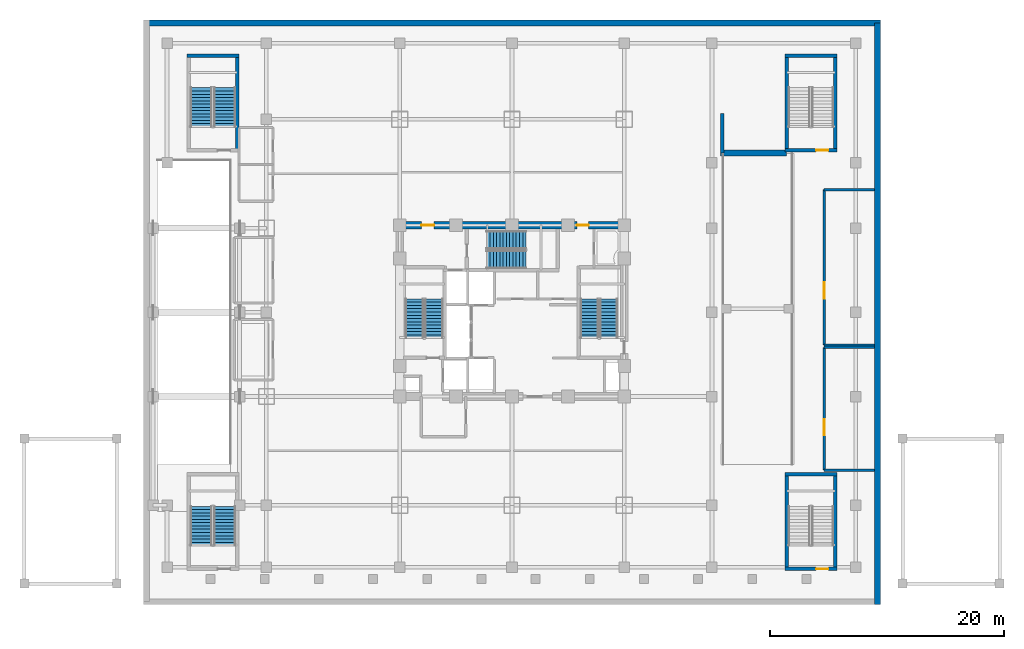
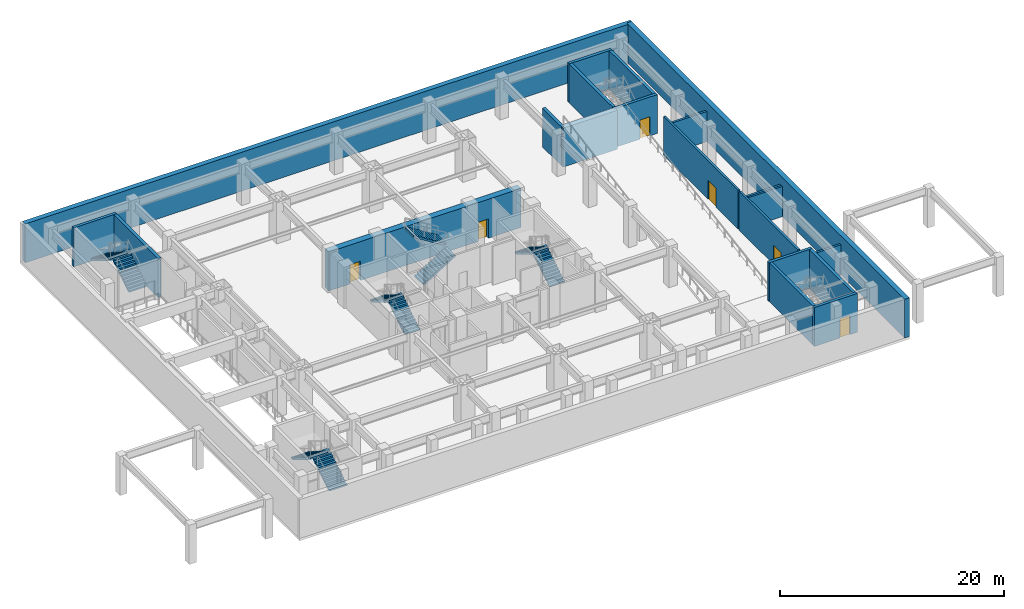
# One storey, part 5 of 12: 21 walls, 10 stair flights, 6 doors, 6 openings, 5 elements without a shape of their own.
"""IFC4 building model written with IfcOpenShell, lengths in metres."""

from ifc_helpers import new_model, si_unit, direction, frame, frame_2d, origin, place, context, subcontext, project, spatial, polyline, rectangle, outline, extrude, material, layer, layer_set, type_object, element, fill, aggregate, save


model = new_model("IFC4")

# Units and contexts
model_context = context("Model", 3, precision=1e-05, world=origin(), true_north=direction((0.0, 1.0)))
body_context = subcontext(model_context, "Body", "Model", "MODEL_VIEW")
ifc_project = project(units=[si_unit("LENGTHUNIT", "METRE"), si_unit("AREAUNIT", "SQUARE_METRE"), si_unit("VOLUMEUNIT", "CUBIC_METRE"), si_unit("PLANEANGLEUNIT", "RADIAN"), si_unit("MASSUNIT", "GRAM", prefix="KILO")], contexts=[model_context])

# Site, building, storey
site_placement = place(None, origin())
site = spatial("IfcSite", under=ifc_project, at=site_placement, CompositionType="ELEMENT")
building_placement = place(site_placement, origin())
building = spatial("IfcBuilding", under=site, at=building_placement, Name="Vantalir Tower", CompositionType="ELEMENT")
storey_placement = place(building_placement, frame((0.0, 0.0, -4.5)))
storey = spatial("IfcBuildingStorey", under=building, at=storey_placement, Name="B01", CompositionType="ELEMENT", Elevation=-4.5)

# Walls
ifc_material_1 = material(Name="Concrete C50/60", Category="concrete")
ifc_layer_1 = layer(ifc_material_1, 0.5)
ifc_layer_set_1 = layer_set([ifc_layer_1], Name="Concrete C50/60")
wall_type_1 = type_object("IfcWallType", Name="WL-BSMT-500", PredefinedType="SOLIDWALL", material=ifc_layer_set_1)
wall_1_placement = place(storey_placement, frame((62.75, 0.0, 0.0), z_axis=(0.0, 0.0, 1.0), x_axis=(0.0, 1.0, 0.0)))
element("IfcWall", 1, at=wall_1_placement, inside=storey, type_object=wall_type_1, Name="B01 Perimeter Retaining Wall E", PredefinedType="SOLIDWALL", context=body_context, shape_type="SweptSolid", body=[
    extrude(rectangle(XDim=49.75, YDim=0.5, at=frame_2d((24.875, 0.0))), origin(), (0.0, 0.0, 1.0), 4.25),
])
wall_2_placement = place(storey_placement, frame((63.0, 49.75, 0.0), z_axis=(0.0, 0.0, 1.0), x_axis=(-1.0, 0.0, 0.0)))
element("IfcWall", 2, at=wall_2_placement, inside=storey, type_object=wall_type_1, Name="B01 Perimeter Retaining Wall N", PredefinedType="SOLIDWALL", context=body_context, shape_type="SweptSolid", body=[
    extrude(rectangle(XDim=62.75, YDim=0.5, at=frame_2d((31.375, 0.0))), origin(), (0.0, 0.0, 1.0), 4.25),
])
wall_3_placement = place(storey_placement, frame((49.35009765625, 38.6201171875, 0.0), z_axis=(0.0, 0.0, 1.0), x_axis=(1.0, 0.0, 0.0)))
element("IfcWall", 3, at=wall_3_placement, inside=storey, type_object=wall_type_1, Name="B01 Car Park Ramp VR1 Head Abutment Wall", PredefinedType="SOLIDWALL", context=body_context, shape_type="SweptSolid", body=[
    extrude(rectangle(XDim=5.6298828125, YDim=0.5, at=frame_2d((2.81494140625, 0.0))), origin(), (0.0, 0.0, 1.0), 4.25),
])

# Wall, openings, doors
ifc_material_2 = material(Name="Concrete C60/75", Category="concrete")
ifc_layer_2 = layer(ifc_material_2, 0.64990234375)
ifc_layer_set_2 = layer_set([ifc_layer_2], Name="Concrete C60/75")
wall_type_2 = type_object("IfcWallType", Name="WL-CORE-650", PredefinedType="SHEAR", material=ifc_layer_set_2)
wall_4_placement = place(storey_placement, frame((21.574951171875, 32.449951171875, 0.0), z_axis=(0.0, 0.0, 1.0), x_axis=(1.0, 0.0, 0.0)))
wall_4 = element("IfcWall", 4, at=wall_4_placement, inside=storey, type_object=wall_type_2, Name="B01 Core Shear Wall North", PredefinedType="SHEAR", context=body_context, shape_type="SweptSolid", body=[
    extrude(rectangle(XDim=19.85009765625, YDim=0.64990234375, at=frame_2d((9.925048828125, 0.0))), origin(), (0.0, 0.0, 1.0), 4.25),
])
opening_1_placement = place(wall_4_placement, frame((2.175048828125, 0.0, 0.0)))
opening_1 = element("IfcOpeningElement", 5, at=opening_1_placement, cuts=wall_4, Name="Opening D-FFL", PredefinedType="OPENING", context=body_context, shape_type="SweptSolid", body=[
    extrude(rectangle(XDim=1.10009765625, YDim=2.10009765625, at=frame_2d((0.550048828125, 1.050048828125))), frame((0.0, 0.3349609375, 0.0), z_axis=(0.0, -1.0, 0.0), x_axis=(1.0, 0.0, 0.0)), (0.0, 0.0, 1.0), 0.669921875),
])
opening_2_placement = place(wall_4_placement, frame((15.47509765625, 0.0, 0.0)))
opening_2 = element("IfcOpeningElement", 6, at=opening_2_placement, cuts=wall_4, Name="Opening D-GUEST", PredefinedType="OPENING", context=body_context, shape_type="SweptSolid", body=[
    extrude(rectangle(XDim=1.0, YDim=2.10009765625, at=frame_2d((0.5, 1.050048828125))), frame((0.0, 0.3349609375, 0.0), z_axis=(0.0, -1.0, 0.0), x_axis=(1.0, 0.0, 0.0)), (0.0, 0.0, 1.0), 0.669921875),
])
ifc_material_3 = material(Name="Fire-rated acoustic steel door", Category="steel")
door_type_1 = type_object("IfcDoorType", Name="DR-FIRE-LOBBY-1100", OperationType="NOTDEFINED", PredefinedType="DOOR", material=ifc_material_3)
door_1_placement = place(opening_1_placement, frame((1.10009765625, 0.0, 0.0), z_axis=(0.0, 0.0, 1.0), x_axis=(-1.0, 0.0, 0.0)))
door_1 = element("IfcDoor", 7, at=door_1_placement, inside=storey, type_object=door_type_1, Name="B01 Firefighting Lobby East Access Door", OperationType="SINGLE_SWING_LEFT", OverallHeight=2.10009765625, OverallWidth=1.10009765625, PredefinedType="DOOR", context=body_context, shape_type="SweptSolid", body=[
    extrude(rectangle(XDim=1.10009765625, YDim=2.10009765625, at=frame_2d((0.550048828125, 1.050048828125))), frame((0.0, 0.02490234375, 0.0), z_axis=(0.0, -1.0, 0.0), x_axis=(1.0, 0.0, 0.0)), (0.0, 0.0, 1.0), 0.050048828125),
])
fill(opening_1, door_1)
ifc_material_4 = material(Name="Solid-core teak veneer acoustic fire door", Category="wood")
door_type_2 = type_object("IfcDoorType", Name="DR-GUEST-ENTRY-1000", OperationType="NOTDEFINED", PredefinedType="DOOR", material=ifc_material_4)
door_2_placement = place(opening_2_placement, frame((1.0, 0.0, 0.0), z_axis=(0.0, 0.0, 1.0), x_axis=(-1.0, 0.0, 0.0)))
door_2 = element("IfcDoor", 8, at=door_2_placement, inside=storey, type_object=door_type_2, Name="B01 North Core Service Lobby Door", OperationType="SINGLE_SWING_LEFT", OverallHeight=2.10009765625, OverallWidth=1.0, PredefinedType="DOOR", context=body_context, shape_type="SweptSolid", body=[
    extrude(rectangle(XDim=1.0, YDim=2.10009765625, at=frame_2d((0.5, 1.050048828125))), frame((0.0, 0.02490234375, 0.0), z_axis=(0.0, -1.0, 0.0), x_axis=(1.0, 0.0, 0.0)), (0.0, 0.0, 1.0), 0.050048828125),
])
fill(opening_2, door_2)

# Wall, opening, door
ifc_material_5 = material(Name="Concrete blockwork with fireboard lining", Category="masonry")
ifc_layer_3 = layer(ifc_material_5, 0.219970703125)
ifc_layer_set_3 = layer_set([ifc_layer_3], Name="Concrete blockwork with fireboard lining")
wall_type_3 = type_object("IfcWallType", Name="WL-FFL-220", PredefinedType="PARTITIONING", material=ifc_layer_set_3)
wall_5_placement = place(storey_placement, frame((58.199951171875, 11.5, 0.0), z_axis=(0.0, 0.0, 1.0), x_axis=(0.0, 1.0, 0.0)))
wall_5 = element("IfcWall", 9, at=wall_5_placement, inside=storey, type_object=wall_type_3, Name="B01 HV Electrical Substation West Wall", PredefinedType="PARTITIONING", context=body_context, shape_type="SweptSolid", body=[
    extrude(rectangle(XDim=10.5, YDim=0.219970703125, at=frame_2d((5.25, 0.0))), origin(), (0.0, 0.0, 1.0), 4.22998046875),
])
opening_3_placement = place(wall_5_placement, frame((2.97509765625, 0.0, 0.0)))
opening_3 = element("IfcOpeningElement", 10, at=opening_3_placement, cuts=wall_5, Name="Opening D-PLANT", PredefinedType="OPENING", context=body_context, shape_type="SweptSolid", body=[
    extrude(rectangle(XDim=1.39990234375, YDim=2.10009765625, at=frame_2d((0.699951171875, 1.050048828125))), frame((0.0, 0.119873046875, 0.0), z_axis=(0.0, -1.0, 0.0), x_axis=(1.0, 0.0, 0.0)), (0.0, 0.0, 1.0), 0.239990234375),
])
ifc_material_6 = material(Name="Louvred fire-rated steel plant double door", Category="steel")
door_type_3 = type_object("IfcDoorType", Name="DR-PLANT-1400", OperationType="DOUBLE_DOOR_SINGLE_SWING", PredefinedType="DOOR", material=ifc_material_6)
door_3_placement = place(opening_3_placement, frame((1.39990234375, 0.0, 0.0), z_axis=(0.0, 0.0, 1.0), x_axis=(-1.0, 0.0, 0.0)))
door_3 = element("IfcDoor", 11, at=door_3_placement, inside=storey, type_object=door_type_3, Name="B01 HV Electrical Substation Plant Door", OperationType="DOUBLE_DOOR_SINGLE_SWING", OverallHeight=2.10009765625, OverallWidth=1.39990234375, PredefinedType="DOOR", context=body_context, shape_type="SweptSolid", body=[
    extrude(rectangle(XDim=1.39990234375, YDim=2.10009765625, at=frame_2d((0.699951171875, 1.050048828125))), frame((0.0, 0.02490234375, 0.0), z_axis=(0.0, -1.0, 0.0), x_axis=(1.0, 0.0, 0.0)), (0.0, 0.0, 1.0), 0.050048828125),
])
fill(opening_3, door_3)

# Walls
for number, where, z_axis, x_axis, name in (
    (12, (58.199951171875, 11.5, 0.0), (0.0, 0.0, 1.0), (1.0, 0.0, 0.0), "B01 HV Electrical Substation South Wall"),
    (13, (58.199951171875, 22.0, 0.0), (0.0, 0.0, 1.0), (1.0, 0.0, 0.0), "B01 HV Electrical Substation North Wall"),
):
    element("IfcWall", number, at=place(storey_placement, frame(where, z_axis=z_axis, x_axis=x_axis)), inside=storey, type_object=wall_type_3, Name=name, PredefinedType="PARTITIONING", context=body_context, shape_type="SweptSolid", body=[
        extrude(rectangle(XDim=4.300048828125, YDim=0.219970703125, at=frame_2d((2.14990234375, 0.0))), origin(), (0.0, 0.0, 1.0), 3.298095703125),
    ])

# Wall, opening, door
wall_6_placement = place(storey_placement, frame((58.199951171875, 22.199951171875, 0.0), z_axis=(0.0, 0.0, 1.0), x_axis=(0.0, 1.0, 0.0)))
wall_6 = element("IfcWall", 14, at=wall_6_placement, inside=storey, type_object=wall_type_3, Name="B01 Standby Generator Room West Wall", PredefinedType="PARTITIONING", context=body_context, shape_type="SweptSolid", body=[
    extrude(rectangle(XDim=13.300048828125, YDim=0.219970703125, at=frame_2d((6.64990234375, 0.0))), origin(), (0.0, 0.0, 1.0), 4.22998046875),
])
opening_4_placement = place(wall_6_placement, frame((3.955078125, 0.0, 0.0)))
opening_4 = element("IfcOpeningElement", 15, at=opening_4_placement, cuts=wall_6, Name="Opening D-PLANT", PredefinedType="OPENING", context=body_context, shape_type="SweptSolid", body=[
    extrude(rectangle(XDim=1.39990234375, YDim=2.10009765625, at=frame_2d((0.699951171875, 1.050048828125))), frame((0.0, 0.119873046875, 0.0), z_axis=(0.0, -1.0, 0.0), x_axis=(1.0, 0.0, 0.0)), (0.0, 0.0, 1.0), 0.239990234375),
])
door_4_placement = place(opening_4_placement, frame((1.39990234375, 0.0, 0.0), z_axis=(0.0, 0.0, 1.0), x_axis=(-1.0, 0.0, 0.0)))
door_4 = element("IfcDoor", 16, at=door_4_placement, inside=storey, type_object=door_type_3, Name="B01 Standby Generator Room Plant Door", OperationType="DOUBLE_DOOR_SINGLE_SWING", OverallHeight=2.10009765625, OverallWidth=1.39990234375, PredefinedType="DOOR", context=body_context, shape_type="SweptSolid", body=[
    extrude(rectangle(XDim=1.39990234375, YDim=2.10009765625, at=frame_2d((0.699951171875, 1.050048828125))), frame((0.0, 0.02490234375, 0.0), z_axis=(0.0, -1.0, 0.0), x_axis=(1.0, 0.0, 0.0)), (0.0, 0.0, 1.0), 0.050048828125),
])
fill(opening_4, door_4)

# Walls
for number, where, z_axis, x_axis, name in (
    (17, (58.199951171875, 22.199951171875, 0.0), (0.0, 0.0, 1.0), (1.0, 0.0, 0.0), "B01 Standby Generator Room South Wall"),
    (18, (58.199951171875, 35.5, 0.0), (0.0, 0.0, 1.0), (1.0, 0.0, 0.0), "B01 Standby Generator Room North Wall"),
):
    element("IfcWall", number, at=place(storey_placement, frame(where, z_axis=z_axis, x_axis=x_axis)), inside=storey, type_object=wall_type_3, Name=name, PredefinedType="PARTITIONING", context=body_context, shape_type="SweptSolid", body=[
        extrude(rectangle(XDim=4.300048828125, YDim=0.219970703125, at=frame_2d((2.14990234375, 0.0))), origin(), (0.0, 0.0, 1.0), 3.298095703125),
    ])
ifc_layer_4 = layer(ifc_material_1, 0.300048828125)
ifc_layer_set_4 = layer_set([ifc_layer_4], Name="Concrete C50/60")
wall_type_4 = type_object("IfcWallType", Name="WL-STAIR-300", PredefinedType="SHEAR", material=ifc_layer_set_4)
wall_7_placement = place(storey_placement, frame((3.699951171875, 46.93994140625, 0.0), z_axis=(0.0, 0.0, 1.0), x_axis=(1.0, 0.0, 0.0)))
element("IfcWall", 19, at=wall_7_placement, inside=storey, type_object=wall_type_4, Name="B01 PST1 North Wall", PredefinedType="SHEAR", context=body_context, shape_type="SweptSolid", body=[
    extrude(rectangle(XDim=4.449951171875, YDim=0.300048828125, at=frame_2d((2.22509765625, 0.0))), origin(), (0.0, 0.0, 1.0), 4.25),
])
wall_8_placement = place(storey_placement, frame((7.989990234375, 38.860107421875, 0.0), z_axis=(0.0, 0.0, 1.0), x_axis=(0.0, 1.0, 0.0)))
element("IfcWall", 20, at=wall_8_placement, inside=storey, type_object=wall_type_4, Name="B01 PST1 East Wall", PredefinedType="SHEAR", context=body_context, shape_type="SweptSolid", body=[
    extrude(rectangle(XDim=8.079833984375, YDim=0.300048828125, at=frame_2d((4.0400390625, 0.0))), origin(), (0.0, 0.0, 1.0), 4.25),
])

# Wall, opening, door
wall_9_placement = place(storey_placement, frame((54.85009765625, 38.860107421875, 0.0), z_axis=(0.0, 0.0, 1.0), x_axis=(1.0, 0.0, 0.0)))
wall_9 = element("IfcWall", 21, at=wall_9_placement, inside=storey, type_object=wall_type_4, Name="B01 PST2 South Wall", PredefinedType="SHEAR", context=body_context, shape_type="SweptSolid", body=[
    extrude(rectangle(XDim=4.449951171875, YDim=0.300048828125, at=frame_2d((2.22509765625, 0.0))), origin(), (0.0, 0.0, 1.0), 4.25),
])
opening_5_placement = place(wall_9_placement, frame((2.64990234375, 0.0, 0.0)))
opening_5 = element("IfcOpeningElement", 22, at=opening_5_placement, cuts=wall_9, Name="Opening D-ST", PredefinedType="OPENING", context=body_context, shape_type="SweptSolid", body=[
    extrude(rectangle(XDim=1.050048828125, YDim=2.10009765625, at=frame_2d((0.52490234375, 1.050048828125))), frame((0.0, 0.159912109375, 0.0), z_axis=(0.0, -1.0, 0.0), x_axis=(1.0, 0.0, 0.0)), (0.0, 0.0, 1.0), 0.320068359375),
])
ifc_material_7 = material(Name="Fire-rated steel door leaf", Category="steel")
door_type_4 = type_object("IfcDoorType", Name="DR-FIRE-STAIR-1050", OperationType="NOTDEFINED", PredefinedType="DOOR", material=ifc_material_7)
door_5_placement = place(opening_5_placement, origin())
door_5 = element("IfcDoor", 23, at=door_5_placement, inside=storey, type_object=door_type_4, Name="B01 Podium Stair PST2 Fire Door", OperationType="SINGLE_SWING_LEFT", OverallHeight=2.10009765625, OverallWidth=1.050048828125, PredefinedType="DOOR", context=body_context, shape_type="SweptSolid", body=[
    extrude(rectangle(XDim=1.050048828125, YDim=2.10009765625, at=frame_2d((0.52490234375, 1.050048828125))), frame((0.0, 0.02490234375, 0.0), z_axis=(0.0, -1.0, 0.0), x_axis=(1.0, 0.0, 0.0)), (0.0, 0.0, 1.0), 0.050048828125),
])
fill(opening_5, door_5)

# Walls
wall_10_placement = place(storey_placement, frame((54.85009765625, 46.93994140625, 0.0), z_axis=(0.0, 0.0, 1.0), x_axis=(1.0, 0.0, 0.0)))
element("IfcWall", 24, at=wall_10_placement, inside=storey, type_object=wall_type_4, Name="B01 PST2 North Wall", PredefinedType="SHEAR", context=body_context, shape_type="SweptSolid", body=[
    extrude(rectangle(XDim=4.449951171875, YDim=0.300048828125, at=frame_2d((2.22509765625, 0.0))), origin(), (0.0, 0.0, 1.0), 4.25),
])
for number, where, z_axis, x_axis, name in (
    (25, (55.010009765625, 38.860107421875, 0.0), (0.0, 0.0, 1.0), (0.0, 1.0, 0.0), "B01 PST2 West Wall"),
    (26, (59.139892578125, 38.860107421875, 0.0), (0.0, 0.0, 1.0), (0.0, 1.0, 0.0), "B01 PST2 East Wall"),
):
    element("IfcWall", number, at=place(storey_placement, frame(where, z_axis=z_axis, x_axis=x_axis)), inside=storey, type_object=wall_type_4, Name=name, PredefinedType="SHEAR", context=body_context, shape_type="SweptSolid", body=[
        extrude(rectangle(XDim=8.079833984375, YDim=0.300048828125, at=frame_2d((4.0400390625, 0.0))), origin(), (0.0, 0.0, 1.0), 4.25),
    ])

# Wall, opening, door
wall_11_placement = place(storey_placement, frame((54.85009765625, 3.06005859375, 0.0), z_axis=(0.0, 0.0, 1.0), x_axis=(1.0, 0.0, 0.0)))
wall_11 = element("IfcWall", 27, at=wall_11_placement, inside=storey, type_object=wall_type_4, Name="B01 PST4 South Wall", PredefinedType="SHEAR", context=body_context, shape_type="SweptSolid", body=[
    extrude(rectangle(XDim=4.449951171875, YDim=0.300048828125, at=frame_2d((2.22509765625, 0.0))), origin(), (0.0, 0.0, 1.0), 4.25),
])
opening_6_placement = place(wall_11_placement, frame((2.64990234375, 0.0, 0.0)))
opening_6 = element("IfcOpeningElement", 28, at=opening_6_placement, cuts=wall_11, Name="Opening D-ST", PredefinedType="OPENING", context=body_context, shape_type="SweptSolid", body=[
    extrude(rectangle(XDim=1.050048828125, YDim=2.10009765625, at=frame_2d((0.52490234375, 1.050048828125))), frame((0.0, 0.159912109375, 0.0), z_axis=(0.0, -1.0, 0.0), x_axis=(1.0, 0.0, 0.0)), (0.0, 0.0, 1.0), 0.320068359375),
])
door_6_placement = place(opening_6_placement, origin())
door_6 = element("IfcDoor", 29, at=door_6_placement, inside=storey, type_object=door_type_4, Name="B01 Podium Stair PST4 Fire Door", OperationType="SINGLE_SWING_LEFT", OverallHeight=2.10009765625, OverallWidth=1.050048828125, PredefinedType="DOOR", context=body_context, shape_type="SweptSolid", body=[
    extrude(rectangle(XDim=1.050048828125, YDim=2.10009765625, at=frame_2d((0.52490234375, 1.050048828125))), frame((0.0, 0.02490234375, 0.0), z_axis=(0.0, -1.0, 0.0), x_axis=(1.0, 0.0, 0.0)), (0.0, 0.0, 1.0), 0.050048828125),
])
fill(opening_6, door_6)

# Walls
wall_12_placement = place(storey_placement, frame((54.85009765625, 11.139892578125, 0.0), z_axis=(0.0, 0.0, 1.0), x_axis=(1.0, 0.0, 0.0)))
element("IfcWall", 30, at=wall_12_placement, inside=storey, type_object=wall_type_4, Name="B01 PST4 North Wall", PredefinedType="SHEAR", context=body_context, shape_type="SweptSolid", body=[
    extrude(rectangle(XDim=4.449951171875, YDim=0.300048828125, at=frame_2d((2.22509765625, 0.0))), origin(), (0.0, 0.0, 1.0), 4.25),
])
for number, where, z_axis, x_axis, name in (
    (31, (55.010009765625, 3.06005859375, 0.0), (0.0, 0.0, 1.0), (0.0, 1.0, 0.0), "B01 PST4 West Wall"),
    (32, (59.139892578125, 3.06005859375, 0.0), (0.0, 0.0, 1.0), (0.0, 1.0, 0.0), "B01 PST4 East Wall"),
):
    element("IfcWall", number, at=place(storey_placement, frame(where, z_axis=z_axis, x_axis=x_axis)), inside=storey, type_object=wall_type_4, Name=name, PredefinedType="SHEAR", context=body_context, shape_type="SweptSolid", body=[
        extrude(rectangle(XDim=8.079833984375, YDim=0.300048828125, at=frame_2d((4.0400390625, 0.0))), origin(), (0.0, 0.0, 1.0), 4.25),
    ])
wall_13_placement = place(storey_placement, frame((49.5, 38.6201171875, 0.0), z_axis=(0.0, 0.0, 1.0), x_axis=(0.0, 1.0, 0.0)))
element("IfcWall", 33, at=wall_13_placement, inside=storey, type_object=wall_type_4, Name="B01 Car Park Ramp VR1 Apron West Support Wall", PredefinedType="SHEAR", context=body_context, shape_type="SweptSolid", body=[
    extrude(rectangle(XDim=3.39990234375, YDim=0.300048828125, at=frame_2d((1.699951171875, 0.0))), origin(), (0.0, 0.0, 1.0), 4.25),
])

# Stair, stair flights
ifc_material_8 = material(Name="Concrete C40/50", Category="concrete")
stair_type_1 = type_object("IfcStairType", Name="STR-CORE-1450", PredefinedType="HALF_TURN_STAIR", material=ifc_material_8)
stair_1_placement = place(storey_placement, origin())
stair_1 = element("IfcStair", 34, at=stair_1_placement, inside=storey, type_object=stair_type_1, Name="B01 Core Exit Stair 1", PredefinedType="HALF_TURN_STAIR")
stair_flight_type_1 = type_object("IfcStairFlightType", Name="FLT-CORE-1450", PredefinedType="STRAIGHT", material=ifc_material_8)
stair_flight_1_placement = place(storey_placement, frame((24.830078125, 22.7900390625, 0.0), z_axis=(0.0, 0.0, 1.0), x_axis=(0.0, 1.0, 0.0)))
stair_flight_1 = element("IfcStairFlight", 35, at=stair_flight_1_placement, type_object=stair_flight_type_1, Name="ST1 flight 1", NumberOfRisers=13, NumberOfTreads=12, PredefinedType="STRAIGHT", RiserHeight=0.173076923, TreadLength=0.28, context=body_context, shape_type="SweptSolid", body=[
    extrude(outline(polyline([(0.0, 0.0), (0.0, 0.173095703125), (0.280029296875, 0.173095703125), (0.280029296875, 0.34619140625), (0.56005859375, 0.34619140625), (0.56005859375, 0.519287109375), (0.840087890625, 0.519287109375), (0.840087890625, 0.6923828125), (1.1201171875, 0.6923828125), (1.1201171875, 0.865478515625), (1.39990234375, 0.865478515625), (1.39990234375, 1.03857421875), (1.679931640625, 1.03857421875), (1.679931640625, 1.21142578125), (1.9599609375, 1.21142578125), (1.9599609375, 1.384521484375), (2.239990234375, 1.384521484375), (2.239990234375, 1.5576171875), (2.52001953125, 1.5576171875), (2.52001953125, 1.730712890625), (2.800048828125, 1.730712890625), (2.800048828125, 1.90380859375), (3.080078125, 1.90380859375), (3.080078125, 2.076904296875), (3.360107421875, 2.076904296875), (3.360107421875, 2.25), (3.360107421875, 1.900634765625), (0.28515625, 0.0), (0.0, 0.0)])), frame((0.0, 0.77001953125, 0.0), z_axis=(0.0, -1.0, 0.0), x_axis=(1.0, 0.0, 0.0)), (0.0, 0.0, 1.0), 1.5400390625),
])
stair_flight_2_placement = place(storey_placement, frame((23.169921875, 26.14990234375, 2.25), z_axis=(0.0, 0.0, 1.0), x_axis=(0.0, -1.0, 0.0)))
stair_flight_2 = element("IfcStairFlight", 36, at=stair_flight_2_placement, type_object=stair_flight_type_1, Name="ST1 flight 2", NumberOfRisers=13, NumberOfTreads=12, PredefinedType="STRAIGHT", RiserHeight=0.173076923, TreadLength=0.28, context=body_context, shape_type="SweptSolid", body=[
    extrude(outline(polyline([(0.0, 0.0), (0.0, 0.173095703125), (0.280029296875, 0.173095703125), (0.280029296875, 0.34619140625), (0.56005859375, 0.34619140625), (0.56005859375, 0.519287109375), (0.840087890625, 0.519287109375), (0.840087890625, 0.6923828125), (1.1201171875, 0.6923828125), (1.1201171875, 0.865478515625), (1.39990234375, 0.865478515625), (1.39990234375, 1.03857421875), (1.679931640625, 1.03857421875), (1.679931640625, 1.21142578125), (1.9599609375, 1.21142578125), (1.9599609375, 1.384521484375), (2.239990234375, 1.384521484375), (2.239990234375, 1.5576171875), (2.52001953125, 1.5576171875), (2.52001953125, 1.730712890625), (2.800048828125, 1.730712890625), (2.800048828125, 1.90380859375), (3.080078125, 1.90380859375), (3.080078125, 2.076904296875), (3.360107421875, 2.076904296875), (3.360107421875, 2.25), (3.360107421875, 1.900634765625), (0.28515625, 0.0), (0.0, 0.0)])), frame((0.0, 0.77001953125, 0.0), z_axis=(0.0, -1.0, 0.0), x_axis=(1.0, 0.0, 0.0)), (0.0, 0.0, 1.0), 1.5400390625),
])
aggregate(stair_1, [stair_flight_1, stair_flight_2])

stair_2_placement = place(storey_placement, origin())
stair_2 = element("IfcStair", 37, at=stair_2_placement, inside=storey, type_object=stair_type_1, Name="B01 Core Exit Stair 2", PredefinedType="HALF_TURN_STAIR")
stair_flight_3_placement = place(storey_placement, frame((39.780029296875, 22.7900390625, 0.0), z_axis=(0.0, 0.0, 1.0), x_axis=(0.0, 1.0, 0.0)))
stair_flight_3 = element("IfcStairFlight", 38, at=stair_flight_3_placement, type_object=stair_flight_type_1, Name="ST2 flight 1", NumberOfRisers=13, NumberOfTreads=12, PredefinedType="STRAIGHT", RiserHeight=0.173076923, TreadLength=0.28, context=body_context, shape_type="SweptSolid", body=[
    extrude(outline(polyline([(0.0, 0.0), (0.0, 0.173095703125), (0.280029296875, 0.173095703125), (0.280029296875, 0.34619140625), (0.56005859375, 0.34619140625), (0.56005859375, 0.519287109375), (0.840087890625, 0.519287109375), (0.840087890625, 0.6923828125), (1.1201171875, 0.6923828125), (1.1201171875, 0.865478515625), (1.39990234375, 0.865478515625), (1.39990234375, 1.03857421875), (1.679931640625, 1.03857421875), (1.679931640625, 1.21142578125), (1.9599609375, 1.21142578125), (1.9599609375, 1.384521484375), (2.239990234375, 1.384521484375), (2.239990234375, 1.5576171875), (2.52001953125, 1.5576171875), (2.52001953125, 1.730712890625), (2.800048828125, 1.730712890625), (2.800048828125, 1.90380859375), (3.080078125, 1.90380859375), (3.080078125, 2.076904296875), (3.360107421875, 2.076904296875), (3.360107421875, 2.25), (3.360107421875, 1.900634765625), (0.28515625, 0.0), (0.0, 0.0)])), frame((0.0, 0.77001953125, 0.0), z_axis=(0.0, -1.0, 0.0), x_axis=(1.0, 0.0, 0.0)), (0.0, 0.0, 1.0), 1.5400390625),
])
stair_flight_4_placement = place(storey_placement, frame((38.1201171875, 26.14990234375, 2.25), z_axis=(0.0, 0.0, 1.0), x_axis=(0.0, -1.0, 0.0)))
stair_flight_4 = element("IfcStairFlight", 39, at=stair_flight_4_placement, type_object=stair_flight_type_1, Name="ST2 flight 2", NumberOfRisers=13, NumberOfTreads=12, PredefinedType="STRAIGHT", RiserHeight=0.173076923, TreadLength=0.28, context=body_context, shape_type="SweptSolid", body=[
    extrude(outline(polyline([(0.0, 0.0), (0.0, 0.173095703125), (0.280029296875, 0.173095703125), (0.280029296875, 0.34619140625), (0.56005859375, 0.34619140625), (0.56005859375, 0.519287109375), (0.840087890625, 0.519287109375), (0.840087890625, 0.6923828125), (1.1201171875, 0.6923828125), (1.1201171875, 0.865478515625), (1.39990234375, 0.865478515625), (1.39990234375, 1.03857421875), (1.679931640625, 1.03857421875), (1.679931640625, 1.21142578125), (1.9599609375, 1.21142578125), (1.9599609375, 1.384521484375), (2.239990234375, 1.384521484375), (2.239990234375, 1.5576171875), (2.52001953125, 1.5576171875), (2.52001953125, 1.730712890625), (2.800048828125, 1.730712890625), (2.800048828125, 1.90380859375), (3.080078125, 1.90380859375), (3.080078125, 2.076904296875), (3.360107421875, 2.076904296875), (3.360107421875, 2.25), (3.360107421875, 1.900634765625), (0.28515625, 0.0), (0.0, 0.0)])), frame((0.0, 0.77001953125, 0.0), z_axis=(0.0, -1.0, 0.0), x_axis=(1.0, 0.0, 0.0)), (0.0, 0.0, 1.0), 1.5400390625),
])
aggregate(stair_2, [stair_flight_3, stair_flight_4])

stair_3_placement = place(storey_placement, origin())
stair_3 = element("IfcStair", 40, at=stair_3_placement, inside=storey, type_object=stair_type_1, Name="B01 Core Exit Stair 3", PredefinedType="HALF_TURN_STAIR")
stair_flight_5_placement = place(storey_placement, frame((29.340087890625, 29.52001953125, 0.0), z_axis=(0.0, 0.0, 1.0), x_axis=(1.0, 0.0, 0.0)))
stair_flight_5 = element("IfcStairFlight", 41, at=stair_flight_5_placement, type_object=stair_flight_type_1, Name="ST3 flight 1", NumberOfRisers=13, NumberOfTreads=12, PredefinedType="STRAIGHT", RiserHeight=0.173076923, TreadLength=0.28, context=body_context, shape_type="SweptSolid", body=[
    extrude(outline(polyline([(0.0, 0.0), (0.0, 0.173095703125), (0.280029296875, 0.173095703125), (0.280029296875, 0.34619140625), (0.56005859375, 0.34619140625), (0.56005859375, 0.519287109375), (0.840087890625, 0.519287109375), (0.840087890625, 0.6923828125), (1.1201171875, 0.6923828125), (1.1201171875, 0.865478515625), (1.39990234375, 0.865478515625), (1.39990234375, 1.03857421875), (1.679931640625, 1.03857421875), (1.679931640625, 1.21142578125), (1.9599609375, 1.21142578125), (1.9599609375, 1.384521484375), (2.239990234375, 1.384521484375), (2.239990234375, 1.5576171875), (2.52001953125, 1.5576171875), (2.52001953125, 1.730712890625), (2.800048828125, 1.730712890625), (2.800048828125, 1.90380859375), (3.080078125, 1.90380859375), (3.080078125, 2.076904296875), (3.360107421875, 2.076904296875), (3.360107421875, 2.25), (3.360107421875, 1.900634765625), (0.28515625, 0.0), (0.0, 0.0)])), frame((0.0, 0.77001953125, 0.0), z_axis=(0.0, -1.0, 0.0), x_axis=(1.0, 0.0, 0.0)), (0.0, 0.0, 1.0), 1.5400390625),
])
stair_flight_6_placement = place(storey_placement, frame((32.699951171875, 31.179931640625, 2.25), z_axis=(0.0, 0.0, 1.0), x_axis=(-1.0, 0.0, 0.0)))
stair_flight_6 = element("IfcStairFlight", 42, at=stair_flight_6_placement, type_object=stair_flight_type_1, Name="ST3 flight 2", NumberOfRisers=13, NumberOfTreads=12, PredefinedType="STRAIGHT", RiserHeight=0.173076923, TreadLength=0.28, context=body_context, shape_type="SweptSolid", body=[
    extrude(outline(polyline([(0.0, 0.0), (0.0, 0.173095703125), (0.280029296875, 0.173095703125), (0.280029296875, 0.34619140625), (0.56005859375, 0.34619140625), (0.56005859375, 0.519287109375), (0.840087890625, 0.519287109375), (0.840087890625, 0.6923828125), (1.1201171875, 0.6923828125), (1.1201171875, 0.865478515625), (1.39990234375, 0.865478515625), (1.39990234375, 1.03857421875), (1.679931640625, 1.03857421875), (1.679931640625, 1.21142578125), (1.9599609375, 1.21142578125), (1.9599609375, 1.384521484375), (2.239990234375, 1.384521484375), (2.239990234375, 1.5576171875), (2.52001953125, 1.5576171875), (2.52001953125, 1.730712890625), (2.800048828125, 1.730712890625), (2.800048828125, 1.90380859375), (3.080078125, 1.90380859375), (3.080078125, 2.076904296875), (3.360107421875, 2.076904296875), (3.360107421875, 2.25), (3.360107421875, 1.900634765625), (0.28515625, 0.0), (0.0, 0.0)])), frame((0.0, 0.77001953125, 0.0), z_axis=(0.0, -1.0, 0.0), x_axis=(1.0, 0.0, 0.0)), (0.0, 0.0, 1.0), 1.5400390625),
])
aggregate(stair_3, [stair_flight_5, stair_flight_6])

stair_type_2 = type_object("IfcStairType", Name="STR-POD-1550", PredefinedType="HALF_TURN_STAIR", material=ifc_material_8)
stair_4_placement = place(storey_placement, origin())
stair_4 = element("IfcStair", 43, at=stair_4_placement, inside=storey, type_object=stair_type_2, Name="B01 Podium Exit Stair 1", PredefinedType="HALF_TURN_STAIR")
stair_flight_type_2 = type_object("IfcStairFlightType", Name="FLT-POD-1550", PredefinedType="STRAIGHT", material=ifc_material_8)
stair_flight_7_placement = place(storey_placement, frame((6.925048828125, 40.85009765625, 0.0), z_axis=(0.0, 0.0, 1.0), x_axis=(0.0, 1.0, 0.0)))
stair_flight_7 = element("IfcStairFlight", 44, at=stair_flight_7_placement, type_object=stair_flight_type_2, Name="PST1 flight 1", NumberOfRisers=13, NumberOfTreads=12, PredefinedType="STRAIGHT", RiserHeight=0.173076923, TreadLength=0.28, context=body_context, shape_type="SweptSolid", body=[
    extrude(outline(polyline([(0.0, 0.0), (0.0, 0.173095703125), (0.280029296875, 0.173095703125), (0.280029296875, 0.34619140625), (0.56005859375, 0.34619140625), (0.56005859375, 0.519287109375), (0.840087890625, 0.519287109375), (0.840087890625, 0.6923828125), (1.1201171875, 0.6923828125), (1.1201171875, 0.865478515625), (1.39990234375, 0.865478515625), (1.39990234375, 1.03857421875), (1.679931640625, 1.03857421875), (1.679931640625, 1.21142578125), (1.9599609375, 1.21142578125), (1.9599609375, 1.384521484375), (2.239990234375, 1.384521484375), (2.239990234375, 1.5576171875), (2.52001953125, 1.5576171875), (2.52001953125, 1.730712890625), (2.800048828125, 1.730712890625), (2.800048828125, 1.90380859375), (3.080078125, 1.90380859375), (3.080078125, 2.076904296875), (3.360107421875, 2.076904296875), (3.360107421875, 2.25), (3.360107421875, 1.900634765625), (0.28515625, 0.0), (0.0, 0.0)])), frame((0.0, 0.925048828125, 0.0), z_axis=(0.0, -1.0, 0.0), x_axis=(1.0, 0.0, 0.0)), (0.0, 0.0, 1.0), 1.85009765625),
])
stair_flight_8_placement = place(storey_placement, frame((4.925048828125, 44.2099609375, 2.25), z_axis=(0.0, 0.0, 1.0), x_axis=(0.0, -1.0, 0.0)))
stair_flight_8 = element("IfcStairFlight", 45, at=stair_flight_8_placement, type_object=stair_flight_type_2, Name="PST1 flight 2", NumberOfRisers=13, NumberOfTreads=12, PredefinedType="STRAIGHT", RiserHeight=0.173076923, TreadLength=0.28, context=body_context, shape_type="SweptSolid", body=[
    extrude(outline(polyline([(0.0, 0.0), (0.0, 0.173095703125), (0.280029296875, 0.173095703125), (0.280029296875, 0.34619140625), (0.56005859375, 0.34619140625), (0.56005859375, 0.519287109375), (0.840087890625, 0.519287109375), (0.840087890625, 0.6923828125), (1.1201171875, 0.6923828125), (1.1201171875, 0.865478515625), (1.39990234375, 0.865478515625), (1.39990234375, 1.03857421875), (1.679931640625, 1.03857421875), (1.679931640625, 1.21142578125), (1.9599609375, 1.21142578125), (1.9599609375, 1.384521484375), (2.239990234375, 1.384521484375), (2.239990234375, 1.5576171875), (2.52001953125, 1.5576171875), (2.52001953125, 1.730712890625), (2.800048828125, 1.730712890625), (2.800048828125, 1.90380859375), (3.080078125, 1.90380859375), (3.080078125, 2.076904296875), (3.360107421875, 2.076904296875), (3.360107421875, 2.25), (3.360107421875, 1.900634765625), (0.28515625, 0.0), (0.0, 0.0)])), frame((0.0, 0.925048828125, 0.0), z_axis=(0.0, -1.0, 0.0), x_axis=(1.0, 0.0, 0.0)), (0.0, 0.0, 1.0), 1.85009765625),
])
aggregate(stair_4, [stair_flight_7, stair_flight_8])

stair_5_placement = place(storey_placement, origin())
stair_5 = element("IfcStair", 46, at=stair_5_placement, inside=storey, type_object=stair_type_2, Name="B01 Podium Exit Stair 3", PredefinedType="HALF_TURN_STAIR")
stair_flight_9_placement = place(storey_placement, frame((6.925048828125, 5.050048828125, 0.0), z_axis=(0.0, 0.0, 1.0), x_axis=(0.0, 1.0, 0.0)))
stair_flight_9 = element("IfcStairFlight", 47, at=stair_flight_9_placement, type_object=stair_flight_type_2, Name="PST3 flight 1", NumberOfRisers=13, NumberOfTreads=12, PredefinedType="STRAIGHT", RiserHeight=0.173076923, TreadLength=0.28, context=body_context, shape_type="SweptSolid", body=[
    extrude(outline(polyline([(0.0, 0.0), (0.0, 0.173095703125), (0.280029296875, 0.173095703125), (0.280029296875, 0.34619140625), (0.56005859375, 0.34619140625), (0.56005859375, 0.519287109375), (0.840087890625, 0.519287109375), (0.840087890625, 0.6923828125), (1.1201171875, 0.6923828125), (1.1201171875, 0.865478515625), (1.39990234375, 0.865478515625), (1.39990234375, 1.03857421875), (1.679931640625, 1.03857421875), (1.679931640625, 1.21142578125), (1.9599609375, 1.21142578125), (1.9599609375, 1.384521484375), (2.239990234375, 1.384521484375), (2.239990234375, 1.5576171875), (2.52001953125, 1.5576171875), (2.52001953125, 1.730712890625), (2.800048828125, 1.730712890625), (2.800048828125, 1.90380859375), (3.080078125, 1.90380859375), (3.080078125, 2.076904296875), (3.360107421875, 2.076904296875), (3.360107421875, 2.25), (3.360107421875, 1.900634765625), (0.28515625, 0.0), (0.0, 0.0)])), frame((0.0, 0.925048828125, 0.0), z_axis=(0.0, -1.0, 0.0), x_axis=(1.0, 0.0, 0.0)), (0.0, 0.0, 1.0), 1.85009765625),
])
stair_flight_10_placement = place(storey_placement, frame((4.925048828125, 8.409912109375, 2.25), z_axis=(0.0, 0.0, 1.0), x_axis=(0.0, -1.0, 0.0)))
stair_flight_10 = element("IfcStairFlight", 48, at=stair_flight_10_placement, type_object=stair_flight_type_2, Name="PST3 flight 2", NumberOfRisers=13, NumberOfTreads=12, PredefinedType="STRAIGHT", RiserHeight=0.173076923, TreadLength=0.28, context=body_context, shape_type="SweptSolid", body=[
    extrude(outline(polyline([(0.0, 0.0), (0.0, 0.173095703125), (0.280029296875, 0.173095703125), (0.280029296875, 0.34619140625), (0.56005859375, 0.34619140625), (0.56005859375, 0.519287109375), (0.840087890625, 0.519287109375), (0.840087890625, 0.6923828125), (1.1201171875, 0.6923828125), (1.1201171875, 0.865478515625), (1.39990234375, 0.865478515625), (1.39990234375, 1.03857421875), (1.679931640625, 1.03857421875), (1.679931640625, 1.21142578125), (1.9599609375, 1.21142578125), (1.9599609375, 1.384521484375), (2.239990234375, 1.384521484375), (2.239990234375, 1.5576171875), (2.52001953125, 1.5576171875), (2.52001953125, 1.730712890625), (2.800048828125, 1.730712890625), (2.800048828125, 1.90380859375), (3.080078125, 1.90380859375), (3.080078125, 2.076904296875), (3.360107421875, 2.076904296875), (3.360107421875, 2.25), (3.360107421875, 1.900634765625), (0.28515625, 0.0), (0.0, 0.0)])), frame((0.0, 0.925048828125, 0.0), z_axis=(0.0, -1.0, 0.0), x_axis=(1.0, 0.0, 0.0)), (0.0, 0.0, 1.0), 1.85009765625),
])
aggregate(stair_5, [stair_flight_9, stair_flight_10])

save(model, "model.ifc")
